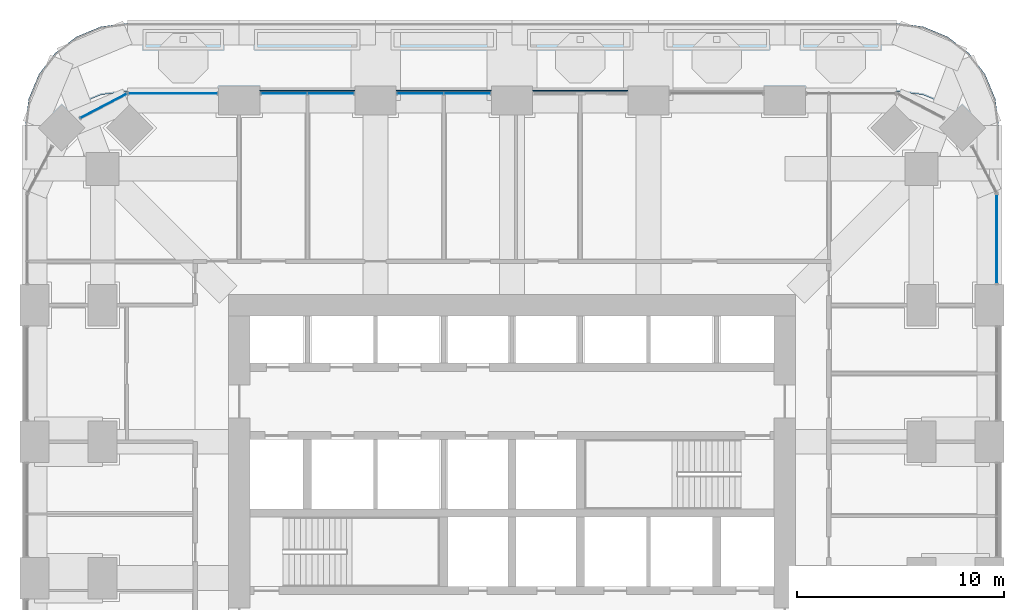
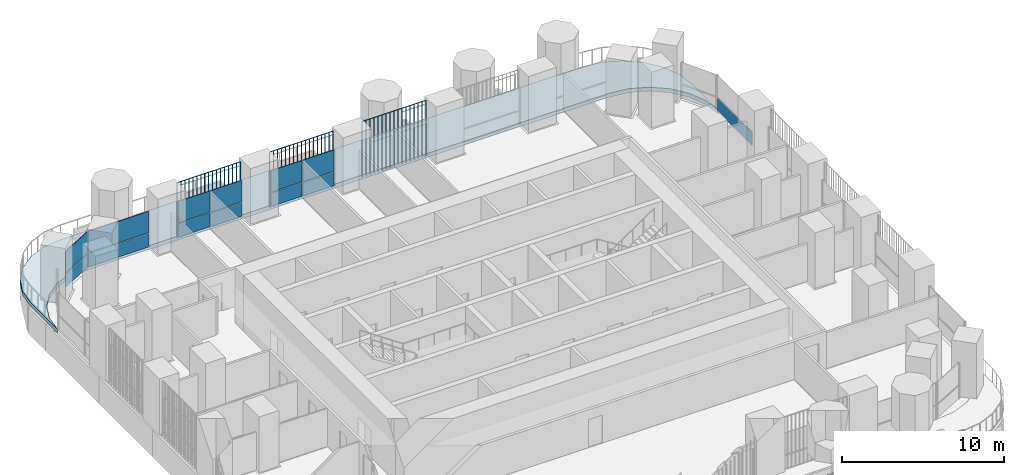
# One storey, part 12 of 22: 16 plates, 1 slab, 5 elements without a shape of their own.
"""IFC4 building model written with IfcOpenShell, lengths in metres."""

import ifcopenshell
import ifcopenshell.guid

model = None  # the IFC model being written
_history = None  # IfcOwnerHistory: only IFC2X3 demands one
_inside = {}  # id of a spatial element -> (the spatial element, [elements in it])
_under = {}  # id of a project, library or spatial element -> (it, [spatial elements below it])
_declared = {}  # id of a project -> (the project, [libraries it declares])
_typed = {}  # id of a type object -> (the type object, [elements of that type])
_made_of = {}  # id of a material, layer set ... -> (it, [elements and type objects made of it])


def new_model(schema):
    """Start an empty IFC model of exactly this schema.

    Asked for "IFC4X3", IfcOpenShell would pick the latest addendum, in which some entities
    have other attributes; the version numbers below select the first issue.
    IFC2X3 requires an IfcOwnerHistory on every rooted entity: one is made here for all.
    """
    global model, _history
    if schema == "IFC4X3":
        model = ifcopenshell.file(schema_version=(4, 3, 0, 0))
    else:
        model = ifcopenshell.file(schema=schema)
    _inside.clear()
    _under.clear()
    _declared.clear()
    _typed.clear()
    _made_of.clear()
    _history = None
    if model.schema == "IFC2X3":
        org = make("IfcOrganization", Name="unknown")
        user = make(
            "IfcPersonAndOrganization",
            ThePerson=make("IfcPerson", FamilyName="unknown"),
            TheOrganization=org,
        )
        app = make(
            "IfcApplication",
            ApplicationDeveloper=org,
            Version="unknown",
            ApplicationFullName="unknown",
            ApplicationIdentifier="unknown",
        )
        _history = make(
            "IfcOwnerHistory",
            OwningUser=user,
            OwningApplication=app,
            ChangeAction="ADDED",
            CreationDate=0,
        )
    return model


def make(cls, **values):
    """One entity of the class cls with the attributes given. An attribute that is None is left unset."""
    return model.create_entity(
        cls, **{name: value for name, value in values.items() if value is not None}
    )


def rooted(cls, **values):
    """An entity with a GlobalId (a new one), such as an element, a storey or a relation."""
    return make(cls, GlobalId=ifcopenshell.guid.new(), OwnerHistory=_history, **values)


def si_unit(unit_type, name, prefix=None):
    """IfcSIUnit, for example si_unit("LENGTHUNIT", "METRE", prefix="MILLI")."""
    return make("IfcSIUnit", UnitType=unit_type, Prefix=prefix, Name=name)


def assignment(units):
    """IfcUnitAssignment: the units of a project."""
    return None if units is None else make("IfcUnitAssignment", Units=units)


def point(xyz):
    """IfcCartesianPoint."""
    return None if xyz is None else make("IfcCartesianPoint", Coordinates=xyz)


def direction(xyz):
    """IfcDirection."""
    return None if xyz is None else make("IfcDirection", DirectionRatios=xyz)


def frame(location, z_axis=None, x_axis=None):
    """IfcAxis2Placement3D, a coordinate frame: its origin and axes. An axis left out is left unset."""
    return make(
        "IfcAxis2Placement3D",
        Location=point(location),
        Axis=direction(z_axis),
        RefDirection=direction(x_axis),
    )


def frame_2d(location, x_axis=None):
    """IfcAxis2Placement2D, a coordinate frame in the plane: its origin and x axis."""
    return make(
        "IfcAxis2Placement2D", Location=point(location), RefDirection=direction(x_axis)
    )


def origin():
    """The frame at (0, 0, 0) with its axes left unset."""
    return frame((0.0, 0.0, 0.0))


def origin_2d():
    """The frame at (0, 0) in the plane with its x axis left unset."""
    return frame_2d((0.0, 0.0))


def place(relative_to, where):
    """IfcLocalPlacement: puts the frame where relative to a parent placement (None: the world)."""
    return make(
        "IfcLocalPlacement", PlacementRelTo=relative_to, RelativePlacement=where
    )


def context(
    kind, dimensions, precision=None, world=None, true_north=None, identifier=None
):
    """IfcGeometricRepresentationContext, for example the 3D "Model" context."""
    return make(
        "IfcGeometricRepresentationContext",
        ContextIdentifier=identifier,
        ContextType=kind,
        CoordinateSpaceDimension=dimensions,
        Precision=precision,
        WorldCoordinateSystem=world,
        TrueNorth=true_north,
    )


def subcontext(parent, identifier, kind, view, scale=None):
    """IfcGeometricRepresentationSubContext, for example "Body" below "Model"."""
    return make(
        "IfcGeometricRepresentationSubContext",
        ContextIdentifier=identifier,
        ContextType=kind,
        ParentContext=parent,
        TargetScale=scale,
        TargetView=view,
    )


def project(units=None, contexts=None):
    """IfcProject with its units and contexts."""
    return rooted(
        "IfcProject",
        Name="project",
        RepresentationContexts=contexts,
        UnitsInContext=assignment(units),
    )


def spatial(cls, under=None, at=None, **own):
    """A site, building, storey or space (cls), placed at a placement, below another one or the project."""
    s = rooted(cls, ObjectPlacement=at, **own)
    if under is not None:
        _under.setdefault(under.id(), (under, []))[1].append(s)
    return s


def polyline(points):
    """IfcPolyline through the points."""
    return make("IfcPolyline", Points=[point(p) for p in points])


def profile(cls, at=None, kind="AREA", **sizes):
    """A parametric profile (cls). Its sizes go by their IFC names, for example OverallWidth=200.0."""
    return make(cls, ProfileType=kind, Position=at, **sizes)


def rectangle(**sizes):
    """IfcRectangleProfileDef."""
    return profile("IfcRectangleProfileDef", **sizes)


def outline(outer, holes=None, kind="AREA"):
    """IfcArbitraryClosedProfileDef: a profile drawn as a closed curve; with holes, ...WithVoids."""
    if holes is None:
        return make("IfcArbitraryClosedProfileDef", ProfileType=kind, OuterCurve=outer)
    return make(
        "IfcArbitraryProfileDefWithVoids",
        ProfileType=kind,
        OuterCurve=outer,
        InnerCurves=holes,
    )


def extrude(swept, where, along, depth):
    """IfcExtrudedAreaSolid: the profile swept, set in the frame where, extruded along a direction by depth."""
    return make(
        "IfcExtrudedAreaSolid",
        SweptArea=swept,
        Position=where,
        ExtrudedDirection=direction(along),
        Depth=depth,
    )


def shape(context_of_items, identifier, shape_type, items):
    """IfcShapeRepresentation: the items that make up one representation, for example the "Body"."""
    return make(
        "IfcShapeRepresentation",
        ContextOfItems=context_of_items,
        RepresentationIdentifier=identifier,
        RepresentationType=shape_type,
        Items=items,
    )


def material(Name=None, Category=None):
    """IfcMaterial."""
    return make("IfcMaterial", Name=Name, Category=Category)


def layer(
    of_material, thickness, ventilated=None, Name=None, Category=None, Priority=None
):
    """IfcMaterialLayer: one layer of a wall or slab, of a material (None: an air gap)."""
    return make(
        "IfcMaterialLayer",
        Material=of_material,
        LayerThickness=thickness,
        IsVentilated=ventilated,
        Name=Name,
        Category=Category,
        Priority=Priority,
    )


def layer_set(layers, Name=None):
    """IfcMaterialLayerSet."""
    return make("IfcMaterialLayerSet", MaterialLayers=layers, LayerSetName=Name)


def made_of(thing, what):
    """Note that an element or type object is made of a material, layer set ...; save() writes the relation."""
    if what is not None:
        _made_of.setdefault(what.id(), (what, []))[1].append(thing)
    return thing


def type_object(cls, material=None, **own):
    """A type object (cls), such as IfcWallType, which elements share."""
    return made_of(rooted(cls, **own), material)


def element(
    cls,
    number,
    at=None,
    inside=None,
    cuts=None,
    type_object=None,
    material=None,
    context=None,
    identifier="Body",
    shape_type=None,
    held_by="IfcProductDefinitionShape",
    body=None,
    shapes=None,
    **own,
):
    """One element of the class cls, such as IfcWall. Its Tag is "e" and its number.

    at: its placement. inside: the storey or other place that contains it. cuts: it is an
    opening in that element (IfcRelVoidsElement). A single representation is given by context,
    identifier, shape_type and body (its items); several are given by shapes. held_by: the class
    of the entity that holds the representations. save() writes the other relations.
    """
    e = rooted(cls, Tag="e%d" % number, ObjectPlacement=at, **own)
    if body is not None:
        shapes = [shape(context, identifier, shape_type, body)]
    if shapes is not None:
        e.Representation = make(held_by, Representations=shapes)
    if inside is not None:
        _inside.setdefault(inside.id(), (inside, []))[1].append(e)
    if cuts is not None:
        rooted(
            "IfcRelVoidsElement", RelatingBuildingElement=cuts, RelatedOpeningElement=e
        )
    if type_object is not None:
        _typed.setdefault(type_object.id(), (type_object, []))[1].append(e)
    return made_of(e, material)


def aggregate(whole, parts):
    """IfcRelAggregates: a whole, such as a stair, and the parts it consists of."""
    return rooted("IfcRelAggregates", RelatingObject=whole, RelatedObjects=parts)


def save(model, path):
    """Write the relations noted so far, then the file.

    IfcRelAggregates (storeys below a building ...), IfcRelContainedInSpatialStructure (elements
    in a storey), IfcRelDefinesByType, IfcRelAssociatesMaterial and IfcRelDeclares: one each for
    every whole, place, type object, material and project.
    """
    for whole, parts in _under.values():
        aggregate(whole, parts)
    for where, things in _inside.values():
        rooted(
            "IfcRelContainedInSpatialStructure",
            RelatedElements=things,
            RelatingStructure=where,
        )
    for kind, things in _typed.values():
        rooted("IfcRelDefinesByType", RelatedObjects=things, RelatingType=kind)
    for what, things in _made_of.values():
        rooted("IfcRelAssociatesMaterial", RelatedObjects=things, RelatingMaterial=what)
    for by, libraries in _declared.values():
        rooted("IfcRelDeclares", RelatingContext=by, RelatedDefinitions=libraries)
    model.write(path)


model = new_model("IFC4")

# Units and contexts
model_context = context("Model", 3, precision=1e-05, world=origin(), true_north=direction((0.0, 1.0)))
body_context = subcontext(model_context, "Body", "Model", "MODEL_VIEW")
ifc_project = project(units=[si_unit("LENGTHUNIT", "METRE"), si_unit("AREAUNIT", "SQUARE_METRE"), si_unit("VOLUMEUNIT", "CUBIC_METRE"), si_unit("PLANEANGLEUNIT", "RADIAN"), si_unit("MASSUNIT", "GRAM", prefix="KILO")], contexts=[model_context])

# Site, building, storey
site_placement = place(None, origin())
site = spatial("IfcSite", under=ifc_project, at=site_placement, CompositionType="ELEMENT")
building_placement = place(site_placement, origin())
building = spatial("IfcBuilding", under=site, at=building_placement, Name="Cobogo Forest Laboratory Tower", CompositionType="ELEMENT")
storey_placement = place(building_placement, frame((0.0, 0.0, 155.699951171875)))
storey = spatial("IfcBuildingStorey", under=building, at=storey_placement, Name="L35", CompositionType="ELEMENT", Elevation=155.699951171875)

# Curtain wall, plate
ifc_material_1 = material(Name="Aluminium curtain wall", Category="aluminium")
curtain_wall_type = type_object("IfcCurtainWallType", Name="CW-2 unitised curtain wall, solar control glazing, laboratory floors zones C and D", PredefinedType="USERDEFINED", material=ifc_material_1)
curtain_wall_1_placement = place(storey_placement, origin())
curtain_wall_1 = element("IfcCurtainWall", 1, at=curtain_wall_1_placement, inside=storey, type_object=curtain_wall_type, Name="Curtain wall 13 L35", ObjectType="UNITISED CURTAIN WALL", PredefinedType="USERDEFINED")
ifc_material_2 = material(Name="Solar control insulated glass", Category="glass")
ifc_layer_1 = layer(ifc_material_2, 0.031982421875)
ifc_layer_set_1 = layer_set([ifc_layer_1], Name="GP-2 solar control glass unit 32")
plate_type_1 = type_object("IfcPlateType", Name="GP-2 solar control glass unit 32", PredefinedType="CURTAIN_PANEL", material=ifc_layer_set_1)
plate_1_placement = place(storey_placement, frame((49.85009765625, 36.199951171875, 0.0), z_axis=(0.0, 0.0, 1.0), x_axis=(0.0, 1.0, 0.0)))
plate_1 = element("IfcPlate", 2, at=plate_1_placement, type_object=plate_type_1, Name="CW-2 panel 1.1", PredefinedType="CURTAIN_PANEL", context=body_context, shape_type="SweptSolid", body=[
    extrude(rectangle(XDim=4.280029296875, YDim=0.031982421875, at=origin_2d()), origin(), (0.0, 0.0, 1.0), 1.02001953125),
])
aggregate(curtain_wall_1, [plate_1])

# Curtain wall, plates
curtain_wall_2_placement = place(storey_placement, origin())
curtain_wall_2 = element("IfcCurtainWall", 3, at=curtain_wall_2_placement, inside=storey, type_object=curtain_wall_type, Name="Curtain wall 19 L35", ObjectType="UNITISED CURTAIN WALL", PredefinedType="USERDEFINED")
plate_2_placement = place(storey_placement, frame((24.235107421875, 43.25, 0.0), z_axis=(0.0, 0.0, 1.0), x_axis=(-1.0, 0.0, 0.0)))
plate_2 = element("IfcPlate", 4, at=plate_2_placement, type_object=plate_type_1, Name="CW-2 panel 1.1", PredefinedType="CURTAIN_PANEL", context=body_context, shape_type="SweptSolid", body=[
    extrude(rectangle(XDim=2.2099609375, YDim=0.031982421875, at=origin_2d()), origin(), (0.0, 0.0, 1.0), 1.02001953125),
])
plate_3_placement = place(storey_placement, frame((24.235107421875, 43.25, 1.080078125), z_axis=(0.0, 0.0, 1.0), x_axis=(-1.0, 0.0, 0.0)))
plate_3 = element("IfcPlate", 5, at=plate_3_placement, type_object=plate_type_1, Name="CW-2 panel 1.2", PredefinedType="CURTAIN_PANEL", context=body_context, shape_type="SweptSolid", body=[
    extrude(rectangle(XDim=2.2099609375, YDim=0.031982421875, at=origin_2d()), origin(), (0.0, 0.0, 1.0), 1.6201171875),
])
plate_4_placement = place(storey_placement, frame((21.965087890625, 43.25, 0.0), z_axis=(0.0, 0.0, 1.0), x_axis=(-1.0, 0.0, 0.0)))
plate_4 = element("IfcPlate", 6, at=plate_4_placement, type_object=plate_type_1, Name="CW-2 panel 2.1", PredefinedType="CURTAIN_PANEL", context=body_context, shape_type="SweptSolid", body=[
    extrude(rectangle(XDim=2.2099609375, YDim=0.031982421875, at=origin_2d()), origin(), (0.0, 0.0, 1.0), 1.02001953125),
])
plate_5_placement = place(storey_placement, frame((21.965087890625, 43.25, 1.080078125), z_axis=(0.0, 0.0, 1.0), x_axis=(-1.0, 0.0, 0.0)))
plate_5 = element("IfcPlate", 7, at=plate_5_placement, type_object=plate_type_1, Name="CW-2 panel 2.2", PredefinedType="CURTAIN_PANEL", context=body_context, shape_type="SweptSolid", body=[
    extrude(rectangle(XDim=2.2099609375, YDim=0.031982421875, at=origin_2d()), origin(), (0.0, 0.0, 1.0), 1.6201171875),
])
aggregate(curtain_wall_2, [plate_2, plate_3, plate_4, plate_5])

curtain_wall_3_placement = place(storey_placement, origin())
curtain_wall_3 = element("IfcCurtainWall", 8, at=curtain_wall_3_placement, inside=storey, type_object=curtain_wall_type, Name="Curtain wall 20 L35", ObjectType="UNITISED CURTAIN WALL", PredefinedType="USERDEFINED")
plate_6_placement = place(storey_placement, frame((17.635009765625, 43.25, 0.0), z_axis=(0.0, 0.0, 1.0), x_axis=(-1.0, 0.0, 0.0)))
plate_6 = element("IfcPlate", 9, at=plate_6_placement, type_object=plate_type_1, Name="CW-2 panel 1.1", PredefinedType="CURTAIN_PANEL", context=body_context, shape_type="SweptSolid", body=[
    extrude(rectangle(XDim=2.2099609375, YDim=0.031982421875, at=origin_2d()), origin(), (0.0, 0.0, 1.0), 1.02001953125),
])
plate_7_placement = place(storey_placement, frame((17.635009765625, 43.25, 1.080078125), z_axis=(0.0, 0.0, 1.0), x_axis=(-1.0, 0.0, 0.0)))
plate_7 = element("IfcPlate", 10, at=plate_7_placement, type_object=plate_type_1, Name="CW-2 panel 1.2", PredefinedType="CURTAIN_PANEL", context=body_context, shape_type="SweptSolid", body=[
    extrude(rectangle(XDim=2.2099609375, YDim=0.031982421875, at=origin_2d()), origin(), (0.0, 0.0, 1.0), 1.6201171875),
])
plate_8_placement = place(storey_placement, frame((15.364990234375, 43.25, 0.0), z_axis=(0.0, 0.0, 1.0), x_axis=(-1.0, 0.0, 0.0)))
plate_8 = element("IfcPlate", 11, at=plate_8_placement, type_object=plate_type_1, Name="CW-2 panel 2.1", PredefinedType="CURTAIN_PANEL", context=body_context, shape_type="SweptSolid", body=[
    extrude(rectangle(XDim=2.2099609375, YDim=0.031982421875, at=origin_2d()), origin(), (0.0, 0.0, 1.0), 1.02001953125),
])
plate_9_placement = place(storey_placement, frame((15.364990234375, 43.25, 1.080078125), z_axis=(0.0, 0.0, 1.0), x_axis=(-1.0, 0.0, 0.0)))
plate_9 = element("IfcPlate", 12, at=plate_9_placement, type_object=plate_type_1, Name="CW-2 panel 2.2", PredefinedType="CURTAIN_PANEL", context=body_context, shape_type="SweptSolid", body=[
    extrude(rectangle(XDim=2.2099609375, YDim=0.031982421875, at=origin_2d()), origin(), (0.0, 0.0, 1.0), 1.6201171875),
])
aggregate(curtain_wall_3, [plate_6, plate_7, plate_8, plate_9])

curtain_wall_4_placement = place(storey_placement, origin())
curtain_wall_4 = element("IfcCurtainWall", 13, at=curtain_wall_4_placement, inside=storey, type_object=curtain_wall_type, Name="Curtain wall 21 L35", ObjectType="UNITISED CURTAIN WALL", PredefinedType="USERDEFINED")
plate_10_placement = place(storey_placement, frame((10.0, 43.25, 0.0), z_axis=(0.0, 0.0, 1.0), x_axis=(-1.0, 0.0, 0.0)))
plate_10 = element("IfcPlate", 14, at=plate_10_placement, type_object=plate_type_1, Name="CW-2 panel 1.1", PredefinedType="CURTAIN_PANEL", context=body_context, shape_type="SweptSolid", body=[
    extrude(rectangle(XDim=4.280029296875, YDim=0.031982421875, at=origin_2d()), origin(), (0.0, 0.0, 1.0), 1.02001953125),
])
plate_11_placement = place(storey_placement, frame((10.0, 43.25, 1.080078125), z_axis=(0.0, 0.0, 1.0), x_axis=(-1.0, 0.0, 0.0)))
plate_11 = element("IfcPlate", 15, at=plate_11_placement, type_object=plate_type_1, Name="CW-2 panel 1.2", PredefinedType="CURTAIN_PANEL", context=body_context, shape_type="SweptSolid", body=[
    extrude(rectangle(XDim=4.280029296875, YDim=0.031982421875, at=origin_2d()), origin(), (0.0, 0.0, 1.0), 1.6201171875),
])
aggregate(curtain_wall_4, [plate_10, plate_11])

curtain_wall_5_placement = place(storey_placement, origin())
curtain_wall_5 = element("IfcCurtainWall", 16, at=curtain_wall_5_placement, inside=storey, type_object=curtain_wall_type, Name="Curtain wall 22 L35", ObjectType="UNITISED CURTAIN WALL", PredefinedType="USERDEFINED")
plate_12_placement = place(storey_placement, frame((6.640380859375, 42.64208984375, 0.0), z_axis=(0.0, 0.0, 1.0), x_axis=(-0.885686527085, -0.464283723321, 0.0)))
plate_12 = element("IfcPlate", 17, at=plate_12_placement, type_object=plate_type_1, Name="CW-2 panel 1.1", PredefinedType="CURTAIN_PANEL", context=body_context, shape_type="SweptSolid", body=[
    extrude(rectangle(XDim=2.49853515625, YDim=0.031982421875, at=origin_2d()), origin(), (0.0, 0.0, 1.0), 1.02001953125),
])
plate_13_placement = place(storey_placement, frame((6.640380859375, 42.64208984375, 1.080078125), z_axis=(0.0, 0.0, 1.0), x_axis=(-0.885686527085, -0.464283723321, 0.0)))
plate_13 = element("IfcPlate", 18, at=plate_13_placement, type_object=plate_type_1, Name="CW-2 panel 1.2", PredefinedType="CURTAIN_PANEL", context=body_context, shape_type="SweptSolid", body=[
    extrude(rectangle(XDim=2.49853515625, YDim=0.031982421875, at=origin_2d()), origin(), (0.0, 0.0, 1.0), 1.6201171875),
])
aggregate(curtain_wall_5, [plate_12, plate_13])

# Plates
ifc_material_3 = material(Name="Terracotta", Category="masonry")
plate_type_2 = type_object("IfcPlateType", Name="TB1 terracotta baguette screen", PredefinedType="USERDEFINED", material=ifc_material_3)
plate_14_placement = place(storey_placement, frame((14.231201171875, 43.3779296875, -0.14990234375)))
element("IfcPlate", 19, at=plate_14_placement, inside=storey, type_object=plate_type_2, Name="Baguette screen N1 L35", ObjectType="BAGUETTE SCREEN", PredefinedType="USERDEFINED", context=body_context, shape_type="SweptSolid", body=[
    extrude(outline(polyline([(0.02880859375, 0.011962890625), (0.011962890625, 0.02880859375), (-0.011962890625, 0.02880859375), (-0.02880859375, 0.011962890625), (-0.02880859375, -0.011962890625), (-0.011962890625, -0.02880859375), (0.011962890625, -0.02880859375), (0.02880859375, -0.011962890625), (0.02880859375, 0.011962890625)])), frame((0.0, 0.0, 4.168701171875), z_axis=(1.0, 0.0, 0.0), x_axis=(0.0, 1.0, 0.0)), (0.0, 0.0, 1.0), 4.53759765625),
    extrude(outline(polyline([(0.02880859375, 0.011962890625), (0.011962890625, 0.02880859375), (-0.011962890625, 0.02880859375), (-0.02880859375, 0.011962890625), (-0.02880859375, -0.011962890625), (-0.011962890625, -0.02880859375), (0.011962890625, -0.02880859375), (0.02880859375, -0.011962890625), (0.02880859375, 0.011962890625)])), origin(), (0.0, 0.0, 1.0), 4.137451171875),
    extrude(outline(polyline([(0.02880859375, 0.011962890625), (0.011962890625, 0.02880859375), (-0.011962890625, 0.02880859375), (-0.02880859375, 0.011962890625), (-0.02880859375, -0.011962890625), (-0.011962890625, -0.02880859375), (0.011962890625, -0.02880859375), (0.02880859375, -0.011962890625), (0.02880859375, 0.011962890625)])), frame((0.28369140625, 0.0, 0.0)), (0.0, 0.0, 1.0), 4.137451171875),
    extrude(outline(polyline([(0.02880859375, 0.011962890625), (0.011962890625, 0.02880859375), (-0.011962890625, 0.02880859375), (-0.02880859375, 0.011962890625), (-0.02880859375, -0.011962890625), (-0.011962890625, -0.02880859375), (0.011962890625, -0.02880859375), (0.02880859375, -0.011962890625), (0.02880859375, 0.011962890625)])), frame((0.567138671875, 0.0, 0.0)), (0.0, 0.0, 1.0), 4.137451171875),
    extrude(outline(polyline([(0.02880859375, 0.011962890625), (0.011962890625, 0.02880859375), (-0.011962890625, 0.02880859375), (-0.02880859375, 0.011962890625), (-0.02880859375, -0.011962890625), (-0.011962890625, -0.02880859375), (0.011962890625, -0.02880859375), (0.02880859375, -0.011962890625), (0.02880859375, 0.011962890625)])), frame((0.850830078125, 0.0, 0.0)), (0.0, 0.0, 1.0), 4.137451171875),
    extrude(outline(polyline([(0.02880859375, 0.011962890625), (0.011962890625, 0.02880859375), (-0.011962890625, 0.02880859375), (-0.02880859375, 0.011962890625), (-0.02880859375, -0.011962890625), (-0.011962890625, -0.02880859375), (0.011962890625, -0.02880859375), (0.02880859375, -0.011962890625), (0.02880859375, 0.011962890625)])), frame((1.13427734375, 0.0, 0.0)), (0.0, 0.0, 1.0), 4.137451171875),
    extrude(outline(polyline([(0.02880859375, 0.011962890625), (0.011962890625, 0.02880859375), (-0.011962890625, 0.02880859375), (-0.02880859375, 0.011962890625), (-0.02880859375, -0.011962890625), (-0.011962890625, -0.02880859375), (0.011962890625, -0.02880859375), (0.02880859375, -0.011962890625), (0.02880859375, 0.011962890625)])), frame((1.41796875, 0.0, 0.0)), (0.0, 0.0, 1.0), 4.137451171875),
    extrude(outline(polyline([(0.02880859375, 0.011962890625), (0.011962890625, 0.02880859375), (-0.011962890625, 0.02880859375), (-0.02880859375, 0.011962890625), (-0.02880859375, -0.011962890625), (-0.011962890625, -0.02880859375), (0.011962890625, -0.02880859375), (0.02880859375, -0.011962890625), (0.02880859375, 0.011962890625)])), frame((1.70166015625, 0.0, 0.0)), (0.0, 0.0, 1.0), 4.137451171875),
    extrude(outline(polyline([(0.02880859375, 0.011962890625), (0.011962890625, 0.02880859375), (-0.011962890625, 0.02880859375), (-0.02880859375, 0.011962890625), (-0.02880859375, -0.011962890625), (-0.011962890625, -0.02880859375), (0.011962890625, -0.02880859375), (0.02880859375, -0.011962890625), (0.02880859375, 0.011962890625)])), frame((1.985107421875, 0.0, 0.0)), (0.0, 0.0, 1.0), 4.137451171875),
    extrude(outline(polyline([(0.02880859375, 0.011962890625), (0.011962890625, 0.02880859375), (-0.011962890625, 0.02880859375), (-0.02880859375, 0.011962890625), (-0.02880859375, -0.011962890625), (-0.011962890625, -0.02880859375), (0.011962890625, -0.02880859375), (0.02880859375, -0.011962890625), (0.02880859375, 0.011962890625)])), frame((2.268798828125, 0.0, 0.0)), (0.0, 0.0, 1.0), 4.137451171875),
    extrude(outline(polyline([(0.02880859375, 0.011962890625), (0.011962890625, 0.02880859375), (-0.011962890625, 0.02880859375), (-0.02880859375, 0.011962890625), (-0.02880859375, -0.011962890625), (-0.011962890625, -0.02880859375), (0.011962890625, -0.02880859375), (0.02880859375, -0.011962890625), (0.02880859375, 0.011962890625)])), frame((2.552490234375, 0.0, 0.0)), (0.0, 0.0, 1.0), 4.137451171875),
    extrude(outline(polyline([(0.02880859375, 0.011962890625), (0.011962890625, 0.02880859375), (-0.011962890625, 0.02880859375), (-0.02880859375, 0.011962890625), (-0.02880859375, -0.011962890625), (-0.011962890625, -0.02880859375), (0.011962890625, -0.02880859375), (0.02880859375, -0.011962890625), (0.02880859375, 0.011962890625)])), frame((2.8359375, 0.0, 0.0)), (0.0, 0.0, 1.0), 4.137451171875),
    extrude(outline(polyline([(0.02880859375, 0.011962890625), (0.011962890625, 0.02880859375), (-0.011962890625, 0.02880859375), (-0.02880859375, 0.011962890625), (-0.02880859375, -0.011962890625), (-0.011962890625, -0.02880859375), (0.011962890625, -0.02880859375), (0.02880859375, -0.011962890625), (0.02880859375, 0.011962890625)])), frame((3.11962890625, 0.0, 0.0)), (0.0, 0.0, 1.0), 4.137451171875),
    extrude(outline(polyline([(0.02880859375, 0.011962890625), (0.011962890625, 0.02880859375), (-0.011962890625, 0.02880859375), (-0.02880859375, 0.011962890625), (-0.02880859375, -0.011962890625), (-0.011962890625, -0.02880859375), (0.011962890625, -0.02880859375), (0.02880859375, -0.011962890625), (0.02880859375, 0.011962890625)])), frame((3.4033203125, 0.0, 0.0)), (0.0, 0.0, 1.0), 4.137451171875),
    extrude(outline(polyline([(0.02880859375, 0.011962890625), (0.011962890625, 0.02880859375), (-0.011962890625, 0.02880859375), (-0.02880859375, 0.011962890625), (-0.02880859375, -0.011962890625), (-0.011962890625, -0.02880859375), (0.011962890625, -0.02880859375), (0.02880859375, -0.011962890625), (0.02880859375, 0.011962890625)])), frame((3.686767578125, 0.0, 0.0)), (0.0, 0.0, 1.0), 4.137451171875),
    extrude(outline(polyline([(0.02880859375, 0.011962890625), (0.011962890625, 0.02880859375), (-0.011962890625, 0.02880859375), (-0.02880859375, 0.011962890625), (-0.02880859375, -0.011962890625), (-0.011962890625, -0.02880859375), (0.011962890625, -0.02880859375), (0.02880859375, -0.011962890625), (0.02880859375, 0.011962890625)])), frame((3.970458984375, 0.0, 0.0)), (0.0, 0.0, 1.0), 4.137451171875),
    extrude(outline(polyline([(0.02880859375, 0.011962890625), (0.011962890625, 0.02880859375), (-0.011962890625, 0.02880859375), (-0.02880859375, 0.011962890625), (-0.02880859375, -0.011962890625), (-0.011962890625, -0.02880859375), (0.011962890625, -0.02880859375), (0.02880859375, -0.011962890625), (0.02880859375, 0.011962890625)])), frame((4.25390625, 0.0, 0.0)), (0.0, 0.0, 1.0), 4.137451171875),
    extrude(outline(polyline([(0.02880859375, 0.011962890625), (0.011962890625, 0.02880859375), (-0.011962890625, 0.02880859375), (-0.02880859375, 0.011962890625), (-0.02880859375, -0.011962890625), (-0.011962890625, -0.02880859375), (0.011962890625, -0.02880859375), (0.02880859375, -0.011962890625), (0.02880859375, 0.011962890625)])), frame((4.53759765625, 0.0, 0.0)), (0.0, 0.0, 1.0), 4.137451171875),
])
plate_15_placement = place(storey_placement, frame((20.831298828125, 43.3779296875, -0.14990234375)))
element("IfcPlate", 20, at=plate_15_placement, inside=storey, type_object=plate_type_2, Name="Baguette screen N2 L35", ObjectType="BAGUETTE SCREEN", PredefinedType="USERDEFINED", context=body_context, shape_type="SweptSolid", body=[
    extrude(outline(polyline([(0.02880859375, 0.011962890625), (0.011962890625, 0.02880859375), (-0.011962890625, 0.02880859375), (-0.02880859375, 0.011962890625), (-0.02880859375, -0.011962890625), (-0.011962890625, -0.02880859375), (0.011962890625, -0.02880859375), (0.02880859375, -0.011962890625), (0.02880859375, 0.011962890625)])), frame((0.0, 0.0, 4.168701171875), z_axis=(1.0, 0.0, 0.0), x_axis=(0.0, 1.0, 0.0)), (0.0, 0.0, 1.0), 4.537353515625),
    extrude(outline(polyline([(0.02880859375, 0.011962890625), (0.011962890625, 0.02880859375), (-0.011962890625, 0.02880859375), (-0.02880859375, 0.011962890625), (-0.02880859375, -0.011962890625), (-0.011962890625, -0.02880859375), (0.011962890625, -0.02880859375), (0.02880859375, -0.011962890625), (0.02880859375, 0.011962890625)])), origin(), (0.0, 0.0, 1.0), 4.137451171875),
    extrude(outline(polyline([(0.02880859375, 0.011962890625), (0.011962890625, 0.02880859375), (-0.011962890625, 0.02880859375), (-0.02880859375, 0.011962890625), (-0.02880859375, -0.011962890625), (-0.011962890625, -0.02880859375), (0.011962890625, -0.02880859375), (0.02880859375, -0.011962890625), (0.02880859375, 0.011962890625)])), frame((0.28369140625, 0.0, 0.0)), (0.0, 0.0, 1.0), 4.137451171875),
    extrude(outline(polyline([(0.02880859375, 0.011962890625), (0.011962890625, 0.02880859375), (-0.011962890625, 0.02880859375), (-0.02880859375, 0.011962890625), (-0.02880859375, -0.011962890625), (-0.011962890625, -0.02880859375), (0.011962890625, -0.02880859375), (0.02880859375, -0.011962890625), (0.02880859375, 0.011962890625)])), frame((0.567138671875, 0.0, 0.0)), (0.0, 0.0, 1.0), 4.137451171875),
    extrude(outline(polyline([(0.02880859375, 0.011962890625), (0.011962890625, 0.02880859375), (-0.011962890625, 0.02880859375), (-0.02880859375, 0.011962890625), (-0.02880859375, -0.011962890625), (-0.011962890625, -0.02880859375), (0.011962890625, -0.02880859375), (0.02880859375, -0.011962890625), (0.02880859375, 0.011962890625)])), frame((0.850830078125, 0.0, 0.0)), (0.0, 0.0, 1.0), 4.137451171875),
    extrude(outline(polyline([(0.02880859375, 0.011962890625), (0.011962890625, 0.02880859375), (-0.011962890625, 0.02880859375), (-0.02880859375, 0.011962890625), (-0.02880859375, -0.011962890625), (-0.011962890625, -0.02880859375), (0.011962890625, -0.02880859375), (0.02880859375, -0.011962890625), (0.02880859375, 0.011962890625)])), frame((1.13427734375, 0.0, 0.0)), (0.0, 0.0, 1.0), 4.137451171875),
    extrude(outline(polyline([(0.02880859375, 0.011962890625), (0.011962890625, 0.02880859375), (-0.011962890625, 0.02880859375), (-0.02880859375, 0.011962890625), (-0.02880859375, -0.011962890625), (-0.011962890625, -0.02880859375), (0.011962890625, -0.02880859375), (0.02880859375, -0.011962890625), (0.02880859375, 0.011962890625)])), frame((1.41796875, 0.0, 0.0)), (0.0, 0.0, 1.0), 4.137451171875),
    extrude(outline(polyline([(0.02880859375, 0.011962890625), (0.011962890625, 0.02880859375), (-0.011962890625, 0.02880859375), (-0.02880859375, 0.011962890625), (-0.02880859375, -0.011962890625), (-0.011962890625, -0.02880859375), (0.011962890625, -0.02880859375), (0.02880859375, -0.011962890625), (0.02880859375, 0.011962890625)])), frame((1.701416015625, 0.0, 0.0)), (0.0, 0.0, 1.0), 4.137451171875),
    extrude(outline(polyline([(0.02880859375, 0.011962890625), (0.011962890625, 0.02880859375), (-0.011962890625, 0.02880859375), (-0.02880859375, 0.011962890625), (-0.02880859375, -0.011962890625), (-0.011962890625, -0.02880859375), (0.011962890625, -0.02880859375), (0.02880859375, -0.011962890625), (0.02880859375, 0.011962890625)])), frame((1.985107421875, 0.0, 0.0)), (0.0, 0.0, 1.0), 4.137451171875),
    extrude(outline(polyline([(0.02880859375, 0.011962890625), (0.011962890625, 0.02880859375), (-0.011962890625, 0.02880859375), (-0.02880859375, 0.011962890625), (-0.02880859375, -0.011962890625), (-0.011962890625, -0.02880859375), (0.011962890625, -0.02880859375), (0.02880859375, -0.011962890625), (0.02880859375, 0.011962890625)])), frame((2.2685546875, 0.0, 0.0)), (0.0, 0.0, 1.0), 4.137451171875),
    extrude(outline(polyline([(0.02880859375, 0.011962890625), (0.011962890625, 0.02880859375), (-0.011962890625, 0.02880859375), (-0.02880859375, 0.011962890625), (-0.02880859375, -0.011962890625), (-0.011962890625, -0.02880859375), (0.011962890625, -0.02880859375), (0.02880859375, -0.011962890625), (0.02880859375, 0.011962890625)])), frame((2.55224609375, 0.0, 0.0)), (0.0, 0.0, 1.0), 4.137451171875),
    extrude(outline(polyline([(0.02880859375, 0.011962890625), (0.011962890625, 0.02880859375), (-0.011962890625, 0.02880859375), (-0.02880859375, 0.011962890625), (-0.02880859375, -0.011962890625), (-0.011962890625, -0.02880859375), (0.011962890625, -0.02880859375), (0.02880859375, -0.011962890625), (0.02880859375, 0.011962890625)])), frame((2.8359375, 0.0, 0.0)), (0.0, 0.0, 1.0), 4.137451171875),
    extrude(outline(polyline([(0.02880859375, 0.011962890625), (0.011962890625, 0.02880859375), (-0.011962890625, 0.02880859375), (-0.02880859375, 0.011962890625), (-0.02880859375, -0.011962890625), (-0.011962890625, -0.02880859375), (0.011962890625, -0.02880859375), (0.02880859375, -0.011962890625), (0.02880859375, 0.011962890625)])), frame((3.119384765625, 0.0, 0.0)), (0.0, 0.0, 1.0), 4.137451171875),
    extrude(outline(polyline([(0.02880859375, 0.011962890625), (0.011962890625, 0.02880859375), (-0.011962890625, 0.02880859375), (-0.02880859375, 0.011962890625), (-0.02880859375, -0.011962890625), (-0.011962890625, -0.02880859375), (0.011962890625, -0.02880859375), (0.02880859375, -0.011962890625), (0.02880859375, 0.011962890625)])), frame((3.403076171875, 0.0, 0.0)), (0.0, 0.0, 1.0), 4.137451171875),
    extrude(outline(polyline([(0.02880859375, 0.011962890625), (0.011962890625, 0.02880859375), (-0.011962890625, 0.02880859375), (-0.02880859375, 0.011962890625), (-0.02880859375, -0.011962890625), (-0.011962890625, -0.02880859375), (0.011962890625, -0.02880859375), (0.02880859375, -0.011962890625), (0.02880859375, 0.011962890625)])), frame((3.6865234375, 0.0, 0.0)), (0.0, 0.0, 1.0), 4.137451171875),
    extrude(outline(polyline([(0.02880859375, 0.011962890625), (0.011962890625, 0.02880859375), (-0.011962890625, 0.02880859375), (-0.02880859375, 0.011962890625), (-0.02880859375, -0.011962890625), (-0.011962890625, -0.02880859375), (0.011962890625, -0.02880859375), (0.02880859375, -0.011962890625), (0.02880859375, 0.011962890625)])), frame((3.97021484375, 0.0, 0.0)), (0.0, 0.0, 1.0), 4.137451171875),
    extrude(outline(polyline([(0.02880859375, 0.011962890625), (0.011962890625, 0.02880859375), (-0.011962890625, 0.02880859375), (-0.02880859375, 0.011962890625), (-0.02880859375, -0.011962890625), (-0.011962890625, -0.02880859375), (0.011962890625, -0.02880859375), (0.02880859375, -0.011962890625), (0.02880859375, 0.011962890625)])), frame((4.253662109375, 0.0, 0.0)), (0.0, 0.0, 1.0), 4.137451171875),
    extrude(outline(polyline([(0.02880859375, 0.011962890625), (0.011962890625, 0.02880859375), (-0.011962890625, 0.02880859375), (-0.02880859375, 0.011962890625), (-0.02880859375, -0.011962890625), (-0.011962890625, -0.02880859375), (0.011962890625, -0.02880859375), (0.02880859375, -0.011962890625), (0.02880859375, 0.011962890625)])), frame((4.537353515625, 0.0, 0.0)), (0.0, 0.0, 1.0), 4.137451171875),
])
plate_16_placement = place(storey_placement, frame((27.43115234375, 43.3779296875, -0.14990234375)))
element("IfcPlate", 21, at=plate_16_placement, inside=storey, type_object=plate_type_2, Name="Baguette screen N3 L35", ObjectType="BAGUETTE SCREEN", PredefinedType="USERDEFINED", context=body_context, shape_type="SweptSolid", body=[
    extrude(outline(polyline([(0.02880859375, 0.011962890625), (0.011962890625, 0.02880859375), (-0.011962890625, 0.02880859375), (-0.02880859375, 0.011962890625), (-0.02880859375, -0.011962890625), (-0.011962890625, -0.02880859375), (0.011962890625, -0.02880859375), (0.02880859375, -0.011962890625), (0.02880859375, 0.011962890625)])), frame((0.0, 0.0, 4.168701171875), z_axis=(1.0, 0.0, 0.0), x_axis=(0.0, 1.0, 0.0)), (0.0, 0.0, 1.0), 4.53759765625),
    extrude(outline(polyline([(0.02880859375, 0.011962890625), (0.011962890625, 0.02880859375), (-0.011962890625, 0.02880859375), (-0.02880859375, 0.011962890625), (-0.02880859375, -0.011962890625), (-0.011962890625, -0.02880859375), (0.011962890625, -0.02880859375), (0.02880859375, -0.011962890625), (0.02880859375, 0.011962890625)])), origin(), (0.0, 0.0, 1.0), 4.137451171875),
    extrude(outline(polyline([(0.02880859375, 0.011962890625), (0.011962890625, 0.02880859375), (-0.011962890625, 0.02880859375), (-0.02880859375, 0.011962890625), (-0.02880859375, -0.011962890625), (-0.011962890625, -0.02880859375), (0.011962890625, -0.02880859375), (0.02880859375, -0.011962890625), (0.02880859375, 0.011962890625)])), frame((0.28369140625, 0.0, 0.0)), (0.0, 0.0, 1.0), 4.137451171875),
    extrude(outline(polyline([(0.02880859375, 0.011962890625), (0.011962890625, 0.02880859375), (-0.011962890625, 0.02880859375), (-0.02880859375, 0.011962890625), (-0.02880859375, -0.011962890625), (-0.011962890625, -0.02880859375), (0.011962890625, -0.02880859375), (0.02880859375, -0.011962890625), (0.02880859375, 0.011962890625)])), frame((0.567138671875, 0.0, 0.0)), (0.0, 0.0, 1.0), 4.137451171875),
    extrude(outline(polyline([(0.02880859375, 0.011962890625), (0.011962890625, 0.02880859375), (-0.011962890625, 0.02880859375), (-0.02880859375, 0.011962890625), (-0.02880859375, -0.011962890625), (-0.011962890625, -0.02880859375), (0.011962890625, -0.02880859375), (0.02880859375, -0.011962890625), (0.02880859375, 0.011962890625)])), frame((0.850830078125, 0.0, 0.0)), (0.0, 0.0, 1.0), 4.137451171875),
    extrude(outline(polyline([(0.02880859375, 0.011962890625), (0.011962890625, 0.02880859375), (-0.011962890625, 0.02880859375), (-0.02880859375, 0.011962890625), (-0.02880859375, -0.011962890625), (-0.011962890625, -0.02880859375), (0.011962890625, -0.02880859375), (0.02880859375, -0.011962890625), (0.02880859375, 0.011962890625)])), frame((1.13427734375, 0.0, 0.0)), (0.0, 0.0, 1.0), 4.137451171875),
    extrude(outline(polyline([(0.02880859375, 0.011962890625), (0.011962890625, 0.02880859375), (-0.011962890625, 0.02880859375), (-0.02880859375, 0.011962890625), (-0.02880859375, -0.011962890625), (-0.011962890625, -0.02880859375), (0.011962890625, -0.02880859375), (0.02880859375, -0.011962890625), (0.02880859375, 0.011962890625)])), frame((1.41796875, 0.0, 0.0)), (0.0, 0.0, 1.0), 4.137451171875),
    extrude(outline(polyline([(0.02880859375, 0.011962890625), (0.011962890625, 0.02880859375), (-0.011962890625, 0.02880859375), (-0.02880859375, 0.011962890625), (-0.02880859375, -0.011962890625), (-0.011962890625, -0.02880859375), (0.011962890625, -0.02880859375), (0.02880859375, -0.011962890625), (0.02880859375, 0.011962890625)])), frame((1.70166015625, 0.0, 0.0)), (0.0, 0.0, 1.0), 4.137451171875),
    extrude(outline(polyline([(0.02880859375, 0.011962890625), (0.011962890625, 0.02880859375), (-0.011962890625, 0.02880859375), (-0.02880859375, 0.011962890625), (-0.02880859375, -0.011962890625), (-0.011962890625, -0.02880859375), (0.011962890625, -0.02880859375), (0.02880859375, -0.011962890625), (0.02880859375, 0.011962890625)])), frame((1.985107421875, 0.0, 0.0)), (0.0, 0.0, 1.0), 4.137451171875),
    extrude(outline(polyline([(0.02880859375, 0.011962890625), (0.011962890625, 0.02880859375), (-0.011962890625, 0.02880859375), (-0.02880859375, 0.011962890625), (-0.02880859375, -0.011962890625), (-0.011962890625, -0.02880859375), (0.011962890625, -0.02880859375), (0.02880859375, -0.011962890625), (0.02880859375, 0.011962890625)])), frame((2.268798828125, 0.0, 0.0)), (0.0, 0.0, 1.0), 4.137451171875),
    extrude(outline(polyline([(0.02880859375, 0.011962890625), (0.011962890625, 0.02880859375), (-0.011962890625, 0.02880859375), (-0.02880859375, 0.011962890625), (-0.02880859375, -0.011962890625), (-0.011962890625, -0.02880859375), (0.011962890625, -0.02880859375), (0.02880859375, -0.011962890625), (0.02880859375, 0.011962890625)])), frame((2.552490234375, 0.0, 0.0)), (0.0, 0.0, 1.0), 4.137451171875),
    extrude(outline(polyline([(0.02880859375, 0.011962890625), (0.011962890625, 0.02880859375), (-0.011962890625, 0.02880859375), (-0.02880859375, 0.011962890625), (-0.02880859375, -0.011962890625), (-0.011962890625, -0.02880859375), (0.011962890625, -0.02880859375), (0.02880859375, -0.011962890625), (0.02880859375, 0.011962890625)])), frame((2.8359375, 0.0, 0.0)), (0.0, 0.0, 1.0), 4.137451171875),
    extrude(outline(polyline([(0.02880859375, 0.011962890625), (0.011962890625, 0.02880859375), (-0.011962890625, 0.02880859375), (-0.02880859375, 0.011962890625), (-0.02880859375, -0.011962890625), (-0.011962890625, -0.02880859375), (0.011962890625, -0.02880859375), (0.02880859375, -0.011962890625), (0.02880859375, 0.011962890625)])), frame((3.11962890625, 0.0, 0.0)), (0.0, 0.0, 1.0), 4.137451171875),
    extrude(outline(polyline([(0.02880859375, 0.011962890625), (0.011962890625, 0.02880859375), (-0.011962890625, 0.02880859375), (-0.02880859375, 0.011962890625), (-0.02880859375, -0.011962890625), (-0.011962890625, -0.02880859375), (0.011962890625, -0.02880859375), (0.02880859375, -0.011962890625), (0.02880859375, 0.011962890625)])), frame((3.4033203125, 0.0, 0.0)), (0.0, 0.0, 1.0), 4.137451171875),
    extrude(outline(polyline([(0.02880859375, 0.011962890625), (0.011962890625, 0.02880859375), (-0.011962890625, 0.02880859375), (-0.02880859375, 0.011962890625), (-0.02880859375, -0.011962890625), (-0.011962890625, -0.02880859375), (0.011962890625, -0.02880859375), (0.02880859375, -0.011962890625), (0.02880859375, 0.011962890625)])), frame((3.686767578125, 0.0, 0.0)), (0.0, 0.0, 1.0), 4.137451171875),
    extrude(outline(polyline([(0.02880859375, 0.011962890625), (0.011962890625, 0.02880859375), (-0.011962890625, 0.02880859375), (-0.02880859375, 0.011962890625), (-0.02880859375, -0.011962890625), (-0.011962890625, -0.02880859375), (0.011962890625, -0.02880859375), (0.02880859375, -0.011962890625), (0.02880859375, 0.011962890625)])), frame((3.970458984375, 0.0, 0.0)), (0.0, 0.0, 1.0), 4.137451171875),
    extrude(outline(polyline([(0.02880859375, 0.011962890625), (0.011962890625, 0.02880859375), (-0.011962890625, 0.02880859375), (-0.02880859375, 0.011962890625), (-0.02880859375, -0.011962890625), (-0.011962890625, -0.02880859375), (0.011962890625, -0.02880859375), (0.02880859375, -0.011962890625), (0.02880859375, 0.011962890625)])), frame((4.25390625, 0.0, 0.0)), (0.0, 0.0, 1.0), 4.137451171875),
    extrude(outline(polyline([(0.02880859375, 0.011962890625), (0.011962890625, 0.02880859375), (-0.011962890625, 0.02880859375), (-0.02880859375, 0.011962890625), (-0.02880859375, -0.011962890625), (-0.011962890625, -0.02880859375), (0.011962890625, -0.02880859375), (0.02880859375, -0.011962890625), (0.02880859375, 0.011962890625)])), frame((4.53759765625, 0.0, 0.0)), (0.0, 0.0, 1.0), 4.137451171875),
])

# Slab
ifc_material_4 = material(Name="Concrete HA-40 (C40/50)", Category="concrete")
ifc_layer_2 = layer(ifc_material_4, 0.300048828125)
ifc_layer_set_2 = layer_set([ifc_layer_2], Name="Terrace slab 300")
slab_type = type_object("IfcSlabType", Name="Terrace slab 300", PredefinedType="FLOOR", material=ifc_layer_set_2)
slab_placement = place(storey_placement, frame((0.0, 0.0, -0.300048828125)))
element("IfcSlab", 22, at=slab_placement, inside=storey, type_object=slab_type, Name="Setback terrace N L35", PredefinedType="FLOOR", context=body_context, shape_type="SweptSolid", body=[
    extrude(outline(polyline([(2.85009765625, 41.699951171875), (2.85009765625, 38.39990234375), (3.0185546875, 39.68115234375), (3.51318359375, 40.875), (4.2998046875, 41.900146484375), (5.324951171875, 42.686767578125), (6.518798828125, 43.181396484375), (7.800048828125, 43.35009765625), (45.0, 43.35009765625), (46.28125, 43.181396484375), (47.47509765625, 42.686767578125), (48.500244140625, 41.900146484375), (49.286865234375, 40.875), (49.78125, 39.68115234375), (49.949951171875, 38.39990234375), (49.949951171875, 41.699951171875), (49.78125, 42.981201171875), (49.286865234375, 44.175048828125), (48.500244140625, 45.2001953125), (47.47509765625, 45.98681640625), (46.28125, 46.4814453125), (45.0, 46.64990234375), (7.800048828125, 46.64990234375), (6.518798828125, 46.4814453125), (5.324951171875, 45.98681640625), (4.2998046875, 45.2001953125), (3.51318359375, 44.175048828125), (3.0185546875, 42.981201171875), (2.85009765625, 41.699951171875)])), origin(), (0.0, 0.0, 1.0), 0.300048828125),
])

save(model, "model.ifc")
